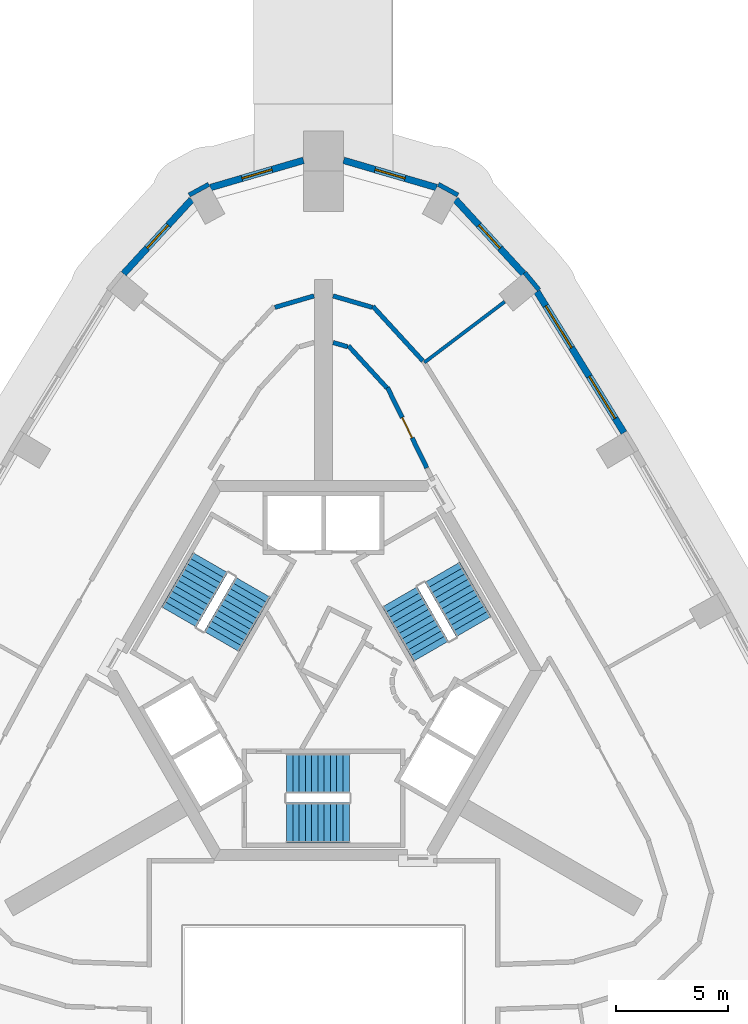
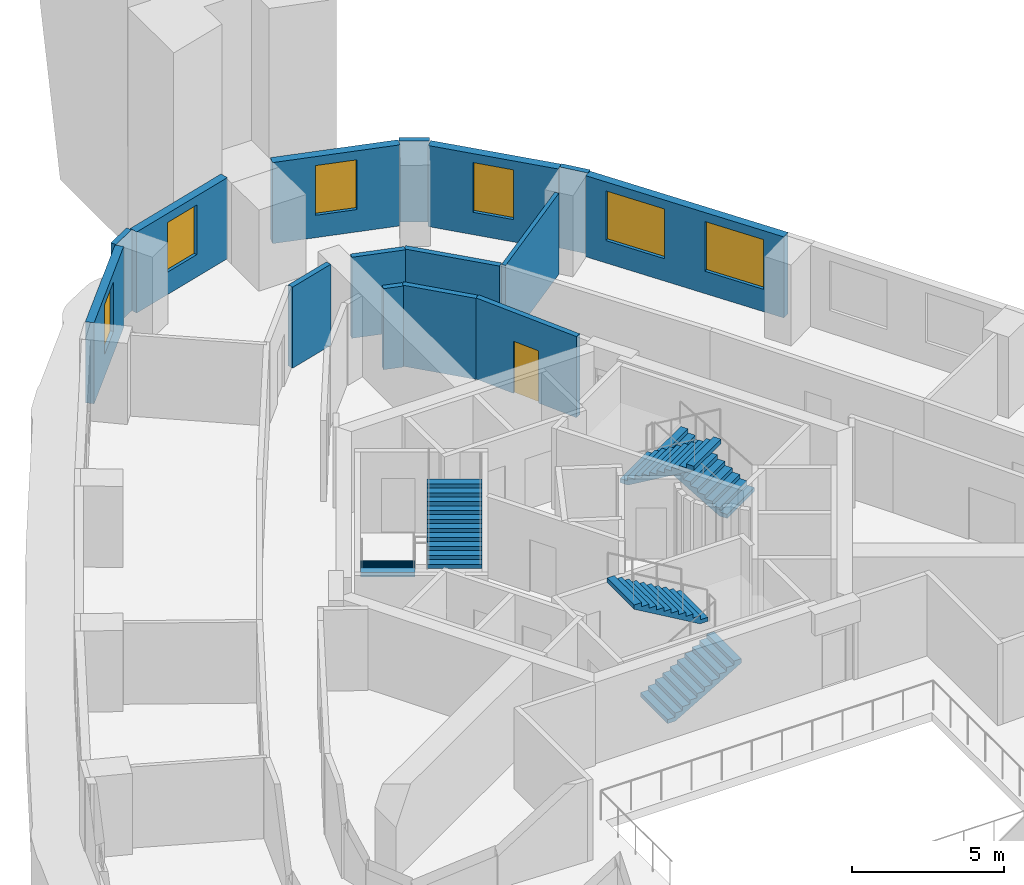
# One storey, part 7 of 11: 15 walls, 6 stair flights, 6 windows, 1 door, 7 openings, 3 elements without a shape of their own.
"""IFC4 building model written with IfcOpenShell, lengths in metres."""

from ifc_helpers import new_model, si_unit, direction, frame, frame_2d, origin, place, context, subcontext, project, spatial, polyline, rectangle, outline, extrude, material, layer, layer_set, type_object, element, fill, aggregate, save


model = new_model("IFC4")

# Units and contexts
model_context = context("Model", 3, precision=1e-05, world=origin(), true_north=direction((0.0, 1.0)))
body_context = subcontext(model_context, "Body", "Model", "MODEL_VIEW")
ifc_project = project(units=[si_unit("LENGTHUNIT", "METRE"), si_unit("AREAUNIT", "SQUARE_METRE"), si_unit("VOLUMEUNIT", "CUBIC_METRE"), si_unit("PLANEANGLEUNIT", "RADIAN"), si_unit("MASSUNIT", "GRAM", prefix="KILO")], contexts=[model_context])

# Site, building, storey
site_placement = place(None, origin())
site = spatial("IfcSite", under=ifc_project, at=site_placement, CompositionType="ELEMENT")
building_placement = place(site_placement, origin())
building = spatial("IfcBuilding", under=site, at=building_placement, Name="Entoto Arch Interchange Tower", CompositionType="ELEMENT")
storey_placement = place(building_placement, frame((0.0, 0.0, 308.0)))
storey = spatial("IfcBuildingStorey", under=building, at=storey_placement, Name="L72", CompositionType="ELEMENT", Elevation=308.0)

# Walls
ifc_material_1 = material(Name="Gypsum board partition on steel studs", Category="steel")
ifc_layer_1 = layer(ifc_material_1, 0.14990234375)
ifc_layer_set_1 = layer_set([ifc_layer_1], Name="Gypsum board partition on steel studs")
wall_type_1 = type_object("IfcWallType", Name="PARTITION 150", PredefinedType="PARTITIONING", material=ifc_layer_set_1)
wall_1_placement = place(storey_placement, frame((4.507080078125, 16.279052734375, 0.0), z_axis=(0.0, 0.0, 1.0), x_axis=(0.797594482062, 0.603194033611, 0.0)))
element("IfcWall", 1, at=wall_1_placement, inside=storey, type_object=wall_type_1, Name="wall:L72:p071", PredefinedType="PARTITIONING", context=body_context, shape_type="SweptSolid", body=[
    extrude(rectangle(XDim=4.506103515625, YDim=0.14990234375, at=frame_2d((2.2529296875, 0.0))), origin(), (0.0, 0.0, 1.0), 3.260009765625),
])
ifc_layer_2 = layer(ifc_material_1, 0.199951171875)
ifc_layer_set_2 = layer_set([ifc_layer_2], Name="Gypsum board partition on steel studs")
wall_type_2 = type_object("IfcWallType", Name="PARTITION 200", PredefinedType="PARTITIONING", material=ifc_layer_set_2)
wall_2_placement = place(storey_placement, frame((1.10693359375, 17.028076171875, 0.0), z_axis=(0.0, 0.0, 1.0), x_axis=(0.675780767979, -0.737102675093, 0.0)))
element("IfcWall", 2, at=wall_2_placement, inside=storey, type_object=wall_type_2, Name="wall:L72:p006", PredefinedType="PARTITIONING", context=body_context, shape_type="SweptSolid", body=[
    extrude(rectangle(XDim=2.56005859375, YDim=0.199951171875, at=frame_2d((1.280029296875, 0.0))), origin(), (0.0, 0.0, 1.0), 3.260009765625),
])
wall_3_placement = place(storey_placement, frame((1.077880859375, 16.98193359375, 0.0), z_axis=(0.0, 0.0, 1.0), x_axis=(-0.959749259422, 0.280858254354, 0.0)))
element("IfcWall", 3, at=wall_3_placement, inside=storey, type_object=wall_type_2, Name="wall:L72:p007", PredefinedType="PARTITIONING", context=body_context, shape_type="SweptSolid", body=[
    extrude(rectangle(XDim=0.67724609375, YDim=0.199951171875, at=frame_2d((0.338623046875, 0.0))), origin(), (0.0, 0.0, 1.0), 3.260009765625),
])

# Wall, opening, door
wall_4_placement = place(storey_placement, frame((4.618896484375, 11.56396484375, 0.0), z_axis=(0.0, 0.0, 1.0), x_axis=(-0.439654479941, 0.898166987964, 0.0)))
wall_4 = element("IfcWall", 4, at=wall_4_placement, inside=storey, type_object=wall_type_2, Name="wall:L72:p009", PredefinedType="PARTITIONING", context=body_context, shape_type="SweptSolid", body=[
    extrude(rectangle(XDim=4.00048828125, YDim=0.199951171875, at=frame_2d((2.000244140625, 0.0))), origin(), (0.0, 0.0, 1.0), 3.260009765625),
])
opening_1_placement = place(wall_4_placement, frame((1.5, 0.0, 0.0)))
opening_1 = element("IfcOpeningElement", 5, at=opening_1_placement, cuts=wall_4, Name="Opening L72-D09", PredefinedType="OPENING", context=body_context, shape_type="SweptSolid", body=[
    extrude(rectangle(XDim=1.0, YDim=2.10009765625, at=frame_2d((0.5, 1.050048828125))), frame((0.0, 0.10986328125, 0.0), z_axis=(0.0, -1.0, 0.0), x_axis=(1.0, 0.0, 0.0)), (0.0, 0.0, 1.0), 0.219970703125),
])
ifc_material_2 = material(Name="Timber door leaf in Steel S235 frame", Category="steel")
door_type = type_object("IfcDoorType", Name="DOOR DS-10 1000x2100", OperationType="SINGLE_SWING_LEFT", PredefinedType="DOOR", material=ifc_material_2)
door_placement = place(opening_1_placement, origin())
door = element("IfcDoor", 6, at=door_placement, inside=storey, type_object=door_type, Name="door:L72:09", OperationType="SINGLE_SWING_LEFT", OverallHeight=2.10009765625, OverallWidth=1.0, PredefinedType="DOOR", context=body_context, shape_type="SweptSolid", body=[
    extrude(rectangle(XDim=1.0, YDim=2.10009765625, at=frame_2d((0.5, 1.050048828125))), frame((0.0, 0.02490234375, 0.0), z_axis=(0.0, -1.0, 0.0), x_axis=(1.0, 0.0, 0.0)), (0.0, 0.0, 1.0), 0.050048828125),
])
fill(opening_1, door)

# Walls
for number, where, z_axis, x_axis, name in (
    (7, (-2.175048828125, 18.7451171875, 0.0), (0.0, 0.0, 1.0), (0.959789423201, 0.280720970201, 0.0), "wall:L72:p039"),
    (8, (0.427978515625, 19.256103515625, 0.0), (0.0, 0.0, 1.0), (0.959789423201, -0.280720970201, 0.0), "wall:L72:p040"),
):
    element("IfcWall", number, at=place(storey_placement, frame(where, z_axis=z_axis, x_axis=x_axis)), inside=storey, type_object=wall_type_2, Name=name, PredefinedType="PARTITIONING", context=body_context, shape_type="SweptSolid", body=[
        extrude(rectangle(XDim=1.8203125, YDim=0.199951171875, at=frame_2d((0.91015625, 0.0))), origin(), (0.0, 0.0, 1.0), 3.260009765625),
    ])
wall_5_placement = place(storey_placement, frame((2.2041015625, 18.791015625, 0.0), z_axis=(0.0, 0.0, 1.0), x_axis=(0.675731313907, -0.737148011871, 0.0)))
element("IfcWall", 9, at=wall_5_placement, inside=storey, type_object=wall_type_2, Name="wall:L72:p041", PredefinedType="PARTITIONING", context=body_context, shape_type="SweptSolid", body=[
    extrude(rectangle(XDim=3.307373046875, YDim=0.199951171875, at=frame_2d((1.65380859375, 0.0))), origin(), (0.0, 0.0, 1.0), 3.260009765625),
])

# Wall, openings, windows
ifc_material_3 = material(Name="Welded tuff (ignimbrite) cladding, warm buff", Category="masonry")
ifc_layer_3 = layer(ifc_material_3, 0.300048828125)
ifc_layer_set_3 = layer_set([ifc_layer_3], Name="Welded tuff (ignimbrite) cladding, warm buff")
wall_type_3 = type_object("IfcWallType", Name="STONE INFILL WALL 300", PredefinedType="STANDARD", material=ifc_layer_set_3)
wall_6_placement = place(storey_placement, frame((13.43505859375, 13.139892578125, 0.0), z_axis=(0.0, 0.0, 1.0), x_axis=(-0.525070792614, 0.851058554239, 0.0)))
wall_6 = element("IfcWall", 10, at=wall_6_placement, inside=storey, type_object=wall_type_3, Name="Facade wall NE-03 L72", PredefinedType="STANDARD", context=body_context, shape_type="SweptSolid", body=[
    extrude(rectangle(XDim=7.414306640625, YDim=0.300048828125, at=frame_2d((3.70703125, 0.0))), origin(), (0.0, 0.0, 1.0), 3.260009765625),
])
opening_2_placement = place(wall_6_placement, frame((0.75390625, 0.0, 0.89990234375)))
opening_2 = element("IfcOpeningElement", 11, at=opening_2_placement, cuts=wall_6, Name="Opening WH-A", PredefinedType="OPENING", context=body_context, shape_type="SweptSolid", body=[
    extrude(rectangle(XDim=2.199951171875, YDim=2.0, at=frame_2d((1.10009765625, 1.0))), frame((0.0, 0.16015625, 0.0), z_axis=(0.0, -1.0, 0.0), x_axis=(1.0, 0.0, 0.0)), (0.0, 0.0, 1.0), 0.320068359375),
])
opening_3_placement = place(wall_6_placement, frame((4.4609375, 0.0, 0.89990234375)))
opening_3 = element("IfcOpeningElement", 12, at=opening_3_placement, cuts=wall_6, Name="Opening WH-A", PredefinedType="OPENING", context=body_context, shape_type="SweptSolid", body=[
    extrude(rectangle(XDim=2.199951171875, YDim=2.0, at=frame_2d((1.10009765625, 1.0))), frame((0.0, 0.16015625, 0.0), z_axis=(0.0, -1.0, 0.0), x_axis=(1.0, 0.0, 0.0)), (0.0, 0.0, 1.0), 0.320068359375),
])
ifc_material_4 = material(Name="Clear glass, low-e double glazed", Category="glass")
window_type_1 = type_object("IfcWindowType", Name="WINDOW WH-A 2200x2000", PartitioningType="DOUBLE_PANEL_VERTICAL", PredefinedType="WINDOW", material=ifc_material_4)
window_1_placement = place(opening_2_placement, origin())
window_1 = element("IfcWindow", 13, at=window_1_placement, inside=storey, type_object=window_type_1, Name="Window WH-A NE-03 L72", OverallHeight=2.0, OverallWidth=2.199951171875, PartitioningType="SINGLE_PANEL", PredefinedType="WINDOW", context=body_context, shape_type="SweptSolid", body=[
    extrude(rectangle(XDim=2.199951171875, YDim=2.0, at=frame_2d((1.10009765625, 1.0))), frame((0.0, 0.030029296875, 0.0), z_axis=(0.0, -1.0, 0.0), x_axis=(1.0, 0.0, 0.0)), (0.0, 0.0, 1.0), 0.06005859375),
])
fill(opening_2, window_1)
window_2_placement = place(opening_3_placement, origin())
window_2 = element("IfcWindow", 14, at=window_2_placement, inside=storey, type_object=window_type_1, Name="Window WH-A NE-03 L72", OverallHeight=2.0, OverallWidth=2.199951171875, PartitioningType="SINGLE_PANEL", PredefinedType="WINDOW", context=body_context, shape_type="SweptSolid", body=[
    extrude(rectangle(XDim=2.199951171875, YDim=2.0, at=frame_2d((1.10009765625, 1.0))), frame((0.0, 0.030029296875, 0.0), z_axis=(0.0, -1.0, 0.0), x_axis=(1.0, 0.0, 0.0)), (0.0, 0.0, 1.0), 0.06005859375),
])
fill(opening_3, window_2)

# Wall, opening, window
wall_7_placement = place(storey_placement, frame((8.93994140625, 20.248046875, 0.0), z_axis=(0.0, 0.0, 1.0), x_axis=(-0.675798306171, 0.737086595575, 0.0)))
wall_7 = element("IfcWall", 15, at=wall_7_placement, inside=storey, type_object=wall_type_3, Name="Facade wall N-01 L72", PredefinedType="STANDARD", context=body_context, shape_type="SweptSolid", body=[
    extrude(rectangle(XDim=4.501220703125, YDim=0.300048828125, at=frame_2d((2.25048828125, 0.0))), origin(), (0.0, 0.0, 1.0), 3.260009765625),
])
opening_4_placement = place(wall_7_placement, frame((1.551025390625, 0.0, 0.89990234375)))
opening_4 = element("IfcOpeningElement", 16, at=opening_4_placement, cuts=wall_7, Name="Opening WH-B", PredefinedType="OPENING", context=body_context, shape_type="SweptSolid", body=[
    extrude(rectangle(XDim=1.39990234375, YDim=2.0, at=frame_2d((0.699951171875, 1.0))), frame((0.0, 0.16015625, 0.0), z_axis=(0.0, -1.0, 0.0), x_axis=(1.0, 0.0, 0.0)), (0.0, 0.0, 1.0), 0.320068359375),
])
window_type_2 = type_object("IfcWindowType", Name="WINDOW WH-B 1400x2000", PartitioningType="DOUBLE_PANEL_VERTICAL", PredefinedType="WINDOW", material=ifc_material_4)
window_3_placement = place(opening_4_placement, origin())
window_3 = element("IfcWindow", 17, at=window_3_placement, inside=storey, type_object=window_type_2, Name="Window WH-B N-01 L72", OverallHeight=2.0, OverallWidth=1.39990234375, PartitioningType="SINGLE_PANEL", PredefinedType="WINDOW", context=body_context, shape_type="SweptSolid", body=[
    extrude(rectangle(XDim=1.39990234375, YDim=2.0, at=frame_2d((0.699951171875, 1.0))), frame((0.0, 0.030029296875, 0.0), z_axis=(0.0, -1.0, 0.0), x_axis=(1.0, 0.0, 0.0)), (0.0, 0.0, 1.0), 0.06005859375),
])
fill(opening_4, window_3)

wall_8_placement = place(storey_placement, frame((5.052978515625, 24.10302734375, 0.0), z_axis=(0.0, 0.0, 1.0), x_axis=(-0.959783015329, 0.28074287789, 0.0)))
wall_8 = element("IfcWall", 18, at=wall_8_placement, inside=storey, type_object=wall_type_3, Name="Facade wall N-02 L72", PredefinedType="STANDARD", context=body_context, shape_type="SweptSolid", body=[
    extrude(rectangle(XDim=4.328125, YDim=0.300048828125, at=frame_2d((2.1640625, 0.0))), origin(), (0.0, 0.0, 1.0), 3.260009765625),
])
opening_5_placement = place(wall_8_placement, frame((1.464111328125, 0.0, 0.89990234375)))
opening_5 = element("IfcOpeningElement", 19, at=opening_5_placement, cuts=wall_8, Name="Opening WH-B", PredefinedType="OPENING", context=body_context, shape_type="SweptSolid", body=[
    extrude(rectangle(XDim=1.39990234375, YDim=2.0, at=frame_2d((0.699951171875, 1.0))), frame((0.0, 0.16015625, 0.0), z_axis=(0.0, -1.0, 0.0), x_axis=(1.0, 0.0, 0.0)), (0.0, 0.0, 1.0), 0.320068359375),
])
window_4_placement = place(opening_5_placement, origin())
window_4 = element("IfcWindow", 20, at=window_4_placement, inside=storey, type_object=window_type_2, Name="Window WH-B N-02 L72", OverallHeight=2.0, OverallWidth=1.39990234375, PartitioningType="SINGLE_PANEL", PredefinedType="WINDOW", context=body_context, shape_type="SweptSolid", body=[
    extrude(rectangle(XDim=1.39990234375, YDim=2.0, at=frame_2d((0.699951171875, 1.0))), frame((0.0, 0.030029296875, 0.0), z_axis=(0.0, -1.0, 0.0), x_axis=(1.0, 0.0, 0.0)), (0.0, 0.0, 1.0), 0.06005859375),
])
fill(opening_5, window_4)

wall_9_placement = place(storey_placement, frame((-0.89892578125, 25.318115234375, 0.0), z_axis=(0.0, 0.0, 1.0), x_axis=(-0.959783015329, -0.28074287789, 0.0)))
wall_9 = element("IfcWall", 21, at=wall_9_placement, inside=storey, type_object=wall_type_3, Name="Facade wall N-03 L72", PredefinedType="STANDARD", context=body_context, shape_type="SweptSolid", body=[
    extrude(rectangle(XDim=4.328125, YDim=0.300048828125, at=frame_2d((2.1640625, 0.0))), origin(), (0.0, 0.0, 1.0), 3.260009765625),
])
opening_6_placement = place(wall_9_placement, frame((1.464111328125, 0.0, 0.89990234375)))
opening_6 = element("IfcOpeningElement", 22, at=opening_6_placement, cuts=wall_9, Name="Opening WH-B", PredefinedType="OPENING", context=body_context, shape_type="SweptSolid", body=[
    extrude(rectangle(XDim=1.39990234375, YDim=2.0, at=frame_2d((0.699951171875, 1.0))), frame((0.0, 0.16015625, 0.0), z_axis=(0.0, -1.0, 0.0), x_axis=(1.0, 0.0, 0.0)), (0.0, 0.0, 1.0), 0.320068359375),
])
window_5_placement = place(opening_6_placement, origin())
window_5 = element("IfcWindow", 23, at=window_5_placement, inside=storey, type_object=window_type_2, Name="Window WH-B N-03 L72", OverallHeight=2.0, OverallWidth=1.39990234375, PartitioningType="SINGLE_PANEL", PredefinedType="WINDOW", context=body_context, shape_type="SweptSolid", body=[
    extrude(rectangle(XDim=1.39990234375, YDim=2.0, at=frame_2d((0.699951171875, 1.0))), frame((0.0, 0.030029296875, 0.0), z_axis=(0.0, -1.0, 0.0), x_axis=(1.0, 0.0, 0.0)), (0.0, 0.0, 1.0), 0.06005859375),
])
fill(opening_6, window_5)

wall_10_placement = place(storey_placement, frame((-5.89794921875, 23.56591796875, 0.0), z_axis=(0.0, 0.0, 1.0), x_axis=(-0.675798306171, -0.737086595575, 0.0)))
wall_10 = element("IfcWall", 24, at=wall_10_placement, inside=storey, type_object=wall_type_3, Name="Facade wall N-04 L72", PredefinedType="STANDARD", context=body_context, shape_type="SweptSolid", body=[
    extrude(rectangle(XDim=4.501220703125, YDim=0.300048828125, at=frame_2d((2.25048828125, 0.0))), origin(), (0.0, 0.0, 1.0), 3.260009765625),
])
opening_7_placement = place(wall_10_placement, frame((1.551025390625, 0.0, 0.89990234375)))
opening_7 = element("IfcOpeningElement", 25, at=opening_7_placement, cuts=wall_10, Name="Opening WH-B", PredefinedType="OPENING", context=body_context, shape_type="SweptSolid", body=[
    extrude(rectangle(XDim=1.39990234375, YDim=2.0, at=frame_2d((0.699951171875, 1.0))), frame((0.0, 0.16015625, 0.0), z_axis=(0.0, -1.0, 0.0), x_axis=(1.0, 0.0, 0.0)), (0.0, 0.0, 1.0), 0.320068359375),
])
window_6_placement = place(opening_7_placement, origin())
window_6 = element("IfcWindow", 26, at=window_6_placement, inside=storey, type_object=window_type_2, Name="Window WH-B N-04 L72", OverallHeight=2.0, OverallWidth=1.39990234375, PartitioningType="SINGLE_PANEL", PredefinedType="WINDOW", context=body_context, shape_type="SweptSolid", body=[
    extrude(rectangle(XDim=1.39990234375, YDim=2.0, at=frame_2d((0.699951171875, 1.0))), frame((0.0, 0.030029296875, 0.0), z_axis=(0.0, -1.0, 0.0), x_axis=(1.0, 0.0, 0.0)), (0.0, 0.0, 1.0), 0.06005859375),
])
fill(opening_7, window_6)

# Walls
ifc_layer_4 = layer(ifc_material_3, 0.199951171875)
ifc_layer_set_4 = layer_set([ifc_layer_4], Name="Welded tuff (ignimbrite) cladding, warm buff")
wall_type_4 = type_object("IfcWallType", Name="STONE PIER CLADDING 200", PredefinedType="STANDARD", material=ifc_layer_set_4)
for number, where, z_axis, x_axis, name in (
    (27, (6.008056640625, 23.76708984375, 0.0), (0.0, 0.0, 1.0), (-0.877895572914, 0.478852130681, 0.0), "Stone pier N1 L72"),
    (28, (-5.1298828125, 24.24609375, 0.0), (0.0, 0.0, 1.0), (-0.877895572914, -0.478852130681, 0.0), "Stone pier N3 L72"),
):
    element("IfcWall", number, at=place(storey_placement, frame(where, z_axis=z_axis, x_axis=x_axis)), inside=storey, type_object=wall_type_4, Name=name, PredefinedType="STANDARD", context=body_context, shape_type="SweptSolid", body=[
        extrude(rectangle(XDim=1.000244140625, YDim=0.199951171875, at=frame_2d((0.5, 0.0))), origin(), (0.0, 0.0, 1.0), 3.260009765625),
    ])
wall_11_placement = place(storey_placement, frame((9.635009765625, 19.52490234375, 0.0), z_axis=(0.0, 0.0, 1.0), x_axis=(-0.6357329148, 0.77190910154, 0.0)))
element("IfcWall", 29, at=wall_11_placement, inside=storey, type_object=wall_type_4, Name="Stone pier NE04 L72", PredefinedType="STANDARD", context=body_context, shape_type="SweptSolid", body=[
    extrude(rectangle(XDim=1.00048828125, YDim=0.199951171875, at=frame_2d((0.500244140625, 0.0))), origin(), (0.0, 0.0, 1.0), 3.260009765625),
])

# Stair, stair flights
ifc_material_5 = material(Name="Concrete C40/50", Category="concrete")
stair_type = type_object("IfcStairType", Name="EXIT STAIR RC 1800", PredefinedType="HALF_TURN_STAIR", material=ifc_material_5)
stair_1_placement = place(storey_placement, origin())
stair_1 = element("IfcStair", 30, at=stair_1_placement, inside=storey, type_object=stair_type, Name="L72 Exit stair S", PredefinedType="HALF_TURN_STAIR")
stair_flight_type = type_object("IfcStairFlightType", Name="EXIT STAIR FLIGHT RC 1800", PredefinedType="STRAIGHT", material=ifc_material_5)
stair_flight_1_placement = place(storey_placement, frame((-1.64990234375, -4.300048828125, 0.0), z_axis=(0.0, 0.0, 1.0), x_axis=(1.0, 0.0, 0.0)))
stair_flight_1 = element("IfcStairFlight", 31, at=stair_flight_1_placement, type_object=stair_flight_type, Name="ST-S flight 1", NumberOfRisers=11, NumberOfTreads=10, PredefinedType="STRAIGHT", RiserHeight=0.163636364, TreadLength=0.28, context=body_context, shape_type="SweptSolid", body=[
    extrude(outline(polyline([(-0.0029296875, 0.0), (-0.0029296875, 0.16357421875), (0.280029296875, 0.16357421875), (0.280029296875, 0.327392578125), (0.56005859375, 0.327392578125), (0.56005859375, 0.490966796875), (0.840087890625, 0.490966796875), (0.840087890625, 0.654541015625), (1.1201171875, 0.654541015625), (1.1201171875, 0.818115234375), (1.39990234375, 0.818115234375), (1.39990234375, 0.98193359375), (1.679931640625, 0.98193359375), (1.679931640625, 1.1455078125), (1.9599609375, 1.1455078125), (1.9599609375, 1.30908203125), (2.239990234375, 1.30908203125), (2.239990234375, 1.47265625), (2.52001953125, 1.47265625), (2.52001953125, 1.636474609375), (2.800048828125, 1.636474609375), (2.802978515625, 1.636474609375), (2.802978515625, 1.464599609375), (0.297119140625, 0.0), (-0.0029296875, 0.0)])), frame((0.0, 0.89990234375, 0.0), z_axis=(0.0, -1.0, 0.0), x_axis=(1.0, 0.0, 0.0)), (0.0, 0.0, 1.0), 1.800048828125),
])
stair_flight_2_placement = place(storey_placement, frame((1.14990234375, -2.10009765625, 1.800048828125), z_axis=(0.0, 0.0, 1.0), x_axis=(-1.0, 0.0, 0.0)))
stair_flight_2 = element("IfcStairFlight", 32, at=stair_flight_2_placement, type_object=stair_flight_type, Name="ST-S flight 2", NumberOfRisers=11, NumberOfTreads=10, PredefinedType="STRAIGHT", RiserHeight=0.163636364, TreadLength=0.28, context=body_context, shape_type="SweptSolid", body=[
    extrude(outline(polyline([(-0.0029296875, 0.0), (-0.0029296875, 0.16357421875), (0.280029296875, 0.16357421875), (0.280029296875, 0.327392578125), (0.56005859375, 0.327392578125), (0.56005859375, 0.490966796875), (0.840087890625, 0.490966796875), (0.840087890625, 0.654541015625), (1.1201171875, 0.654541015625), (1.1201171875, 0.818115234375), (1.39990234375, 0.818115234375), (1.39990234375, 0.98193359375), (1.679931640625, 0.98193359375), (1.679931640625, 1.1455078125), (1.9599609375, 1.1455078125), (1.9599609375, 1.30908203125), (2.239990234375, 1.30908203125), (2.239990234375, 1.47265625), (2.52001953125, 1.47265625), (2.52001953125, 1.636474609375), (2.800048828125, 1.636474609375), (2.802978515625, 1.636474609375), (2.802978515625, 1.464599609375), (0.297119140625, 0.0), (-0.0029296875, 0.0)])), frame((0.0, 0.89990234375, 0.0), z_axis=(0.0, -1.0, 0.0), x_axis=(1.0, 0.0, 0.0)), (0.0, 0.0, 1.0), 1.800048828125),
])
aggregate(stair_1, [stair_flight_1, stair_flight_2])

stair_2_placement = place(storey_placement, origin())
stair_2 = element("IfcStair", 33, at=stair_2_placement, inside=storey, type_object=stair_type, Name="L72 Exit stair NE", PredefinedType="HALF_TURN_STAIR")
stair_flight_3_placement = place(storey_placement, frame((6.7138671875, 4.470947265625, 0.0), z_axis=(0.0, 0.0, 1.0), x_axis=(-0.5, 0.866025403784, 0.0)))
stair_flight_3 = element("IfcStairFlight", 34, at=stair_flight_3_placement, type_object=stair_flight_type, Name="ST-NE flight 1", NumberOfRisers=11, NumberOfTreads=10, PredefinedType="STRAIGHT", RiserHeight=0.163636364, TreadLength=0.28, context=body_context, shape_type="SweptSolid", body=[
    extrude(outline(polyline([(-0.0029296875, 0.0), (-0.0029296875, 0.16357421875), (0.280029296875, 0.16357421875), (0.280029296875, 0.327392578125), (0.56005859375, 0.327392578125), (0.56005859375, 0.490966796875), (0.840087890625, 0.490966796875), (0.840087890625, 0.654541015625), (1.1201171875, 0.654541015625), (1.1201171875, 0.818115234375), (1.39990234375, 0.818115234375), (1.39990234375, 0.98193359375), (1.679931640625, 0.98193359375), (1.679931640625, 1.1455078125), (1.9599609375, 1.1455078125), (1.9599609375, 1.30908203125), (2.239990234375, 1.30908203125), (2.239990234375, 1.47265625), (2.52001953125, 1.47265625), (2.52001953125, 1.636474609375), (2.800048828125, 1.636474609375), (2.802978515625, 1.636474609375), (2.802978515625, 1.464599609375), (0.297119140625, 0.0), (-0.0029296875, 0.0)])), frame((0.0, 0.89990234375, 0.0), z_axis=(0.0, -1.0, 0.0), x_axis=(1.0, 0.0, 0.0)), (0.0, 0.0, 1.0), 1.800048828125),
])
stair_flight_4_placement = place(storey_placement, frame((3.40869140625, 5.7958984375, 1.800048828125), z_axis=(0.0, 0.0, 1.0), x_axis=(0.5, -0.866025403784, 0.0)))
stair_flight_4 = element("IfcStairFlight", 35, at=stair_flight_4_placement, type_object=stair_flight_type, Name="ST-NE flight 2", NumberOfRisers=11, NumberOfTreads=10, PredefinedType="STRAIGHT", RiserHeight=0.163636364, TreadLength=0.28, context=body_context, shape_type="SweptSolid", body=[
    extrude(outline(polyline([(-0.0029296875, 0.0), (-0.0029296875, 0.16357421875), (0.280029296875, 0.16357421875), (0.280029296875, 0.327392578125), (0.56005859375, 0.327392578125), (0.56005859375, 0.490966796875), (0.840087890625, 0.490966796875), (0.840087890625, 0.654541015625), (1.1201171875, 0.654541015625), (1.1201171875, 0.818115234375), (1.39990234375, 0.818115234375), (1.39990234375, 0.98193359375), (1.679931640625, 0.98193359375), (1.679931640625, 1.1455078125), (1.9599609375, 1.1455078125), (1.9599609375, 1.30908203125), (2.239990234375, 1.30908203125), (2.239990234375, 1.47265625), (2.52001953125, 1.47265625), (2.52001953125, 1.636474609375), (2.800048828125, 1.636474609375), (2.802978515625, 1.636474609375), (2.802978515625, 1.464599609375), (0.297119140625, 0.0), (-0.0029296875, 0.0)])), frame((0.0, 0.89990234375, 0.0), z_axis=(0.0, -1.0, 0.0), x_axis=(1.0, 0.0, 0.0)), (0.0, 0.0, 1.0), 1.800048828125),
])
aggregate(stair_2, [stair_flight_3, stair_flight_4])

stair_3_placement = place(storey_placement, origin())
stair_3 = element("IfcStair", 36, at=stair_3_placement, inside=storey, type_object=stair_type, Name="L72 Exit stair NW", PredefinedType="HALF_TURN_STAIR")
stair_flight_5_placement = place(storey_placement, frame((-5.06396484375, 7.328857421875, 0.0), z_axis=(0.0, 0.0, 1.0), x_axis=(-0.5, -0.866025403784, 0.0)))
stair_flight_5 = element("IfcStairFlight", 37, at=stair_flight_5_placement, type_object=stair_flight_type, Name="ST-NW flight 1", NumberOfRisers=11, NumberOfTreads=10, PredefinedType="STRAIGHT", RiserHeight=0.163636364, TreadLength=0.28, context=body_context, shape_type="SweptSolid", body=[
    extrude(outline(polyline([(-0.0029296875, 0.0), (-0.0029296875, 0.16357421875), (0.280029296875, 0.16357421875), (0.280029296875, 0.327392578125), (0.56005859375, 0.327392578125), (0.56005859375, 0.490966796875), (0.840087890625, 0.490966796875), (0.840087890625, 0.654541015625), (1.1201171875, 0.654541015625), (1.1201171875, 0.818115234375), (1.39990234375, 0.818115234375), (1.39990234375, 0.98193359375), (1.679931640625, 0.98193359375), (1.679931640625, 1.1455078125), (1.9599609375, 1.1455078125), (1.9599609375, 1.30908203125), (2.239990234375, 1.30908203125), (2.239990234375, 1.47265625), (2.52001953125, 1.47265625), (2.52001953125, 1.636474609375), (2.800048828125, 1.636474609375), (2.802978515625, 1.636474609375), (2.802978515625, 1.464599609375), (0.297119140625, 0.0), (-0.0029296875, 0.0)])), frame((0.0, 0.89990234375, 0.0), z_axis=(0.0, -1.0, 0.0), x_axis=(1.0, 0.0, 0.0)), (0.0, 0.0, 1.0), 1.800048828125),
])
stair_flight_6_placement = place(storey_placement, frame((-4.558837890625, 3.803955078125, 1.800048828125), z_axis=(0.0, 0.0, 1.0), x_axis=(0.5, 0.866025403784, 0.0)))
stair_flight_6 = element("IfcStairFlight", 38, at=stair_flight_6_placement, type_object=stair_flight_type, Name="ST-NW flight 2", NumberOfRisers=11, NumberOfTreads=10, PredefinedType="STRAIGHT", RiserHeight=0.163636364, TreadLength=0.28, context=body_context, shape_type="SweptSolid", body=[
    extrude(outline(polyline([(-0.0029296875, 0.0), (-0.0029296875, 0.16357421875), (0.280029296875, 0.16357421875), (0.280029296875, 0.327392578125), (0.56005859375, 0.327392578125), (0.56005859375, 0.490966796875), (0.840087890625, 0.490966796875), (0.840087890625, 0.654541015625), (1.1201171875, 0.654541015625), (1.1201171875, 0.818115234375), (1.39990234375, 0.818115234375), (1.39990234375, 0.98193359375), (1.679931640625, 0.98193359375), (1.679931640625, 1.1455078125), (1.9599609375, 1.1455078125), (1.9599609375, 1.30908203125), (2.239990234375, 1.30908203125), (2.239990234375, 1.47265625), (2.52001953125, 1.47265625), (2.52001953125, 1.636474609375), (2.800048828125, 1.636474609375), (2.802978515625, 1.636474609375), (2.802978515625, 1.464599609375), (0.297119140625, 0.0), (-0.0029296875, 0.0)])), frame((0.0, 0.89990234375, 0.0), z_axis=(0.0, -1.0, 0.0), x_axis=(1.0, 0.0, 0.0)), (0.0, 0.0, 1.0), 1.800048828125),
])
aggregate(stair_3, [stair_flight_5, stair_flight_6])

save(model, "model.ifc")
